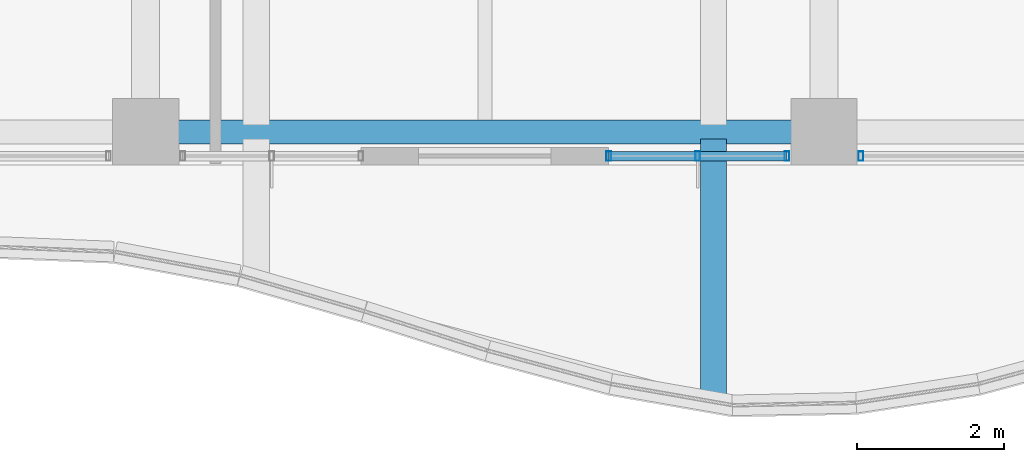
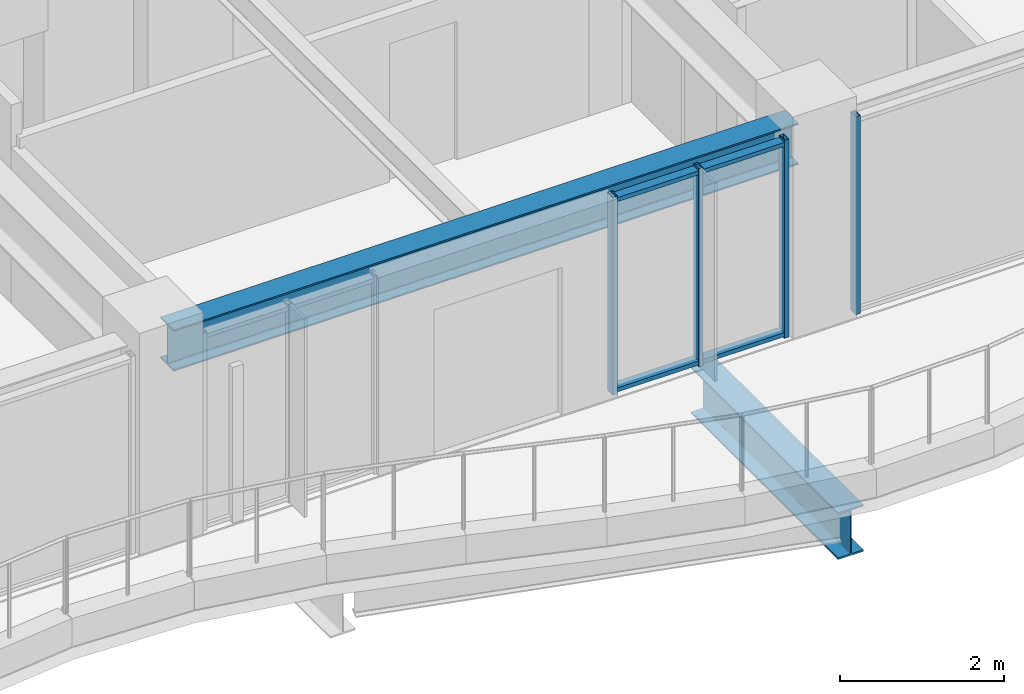
# One storey, part 6 of 31: 6 members, 2 beams, 2 elements without a shape of their own.
"""IFC4 building model written with IfcOpenShell, lengths in metres."""

from ifc_helpers import new_model, si_unit, direction, frame, origin, origin_2d, place, context, subcontext, project, spatial, hollow_rectangle, i_section, extrude, material, material_profile, profile_set, type_object, element, aggregate, save


model = new_model("IFC4")

# Units and contexts
model_context = context("Model", 3, precision=1e-05, world=origin(), true_north=direction((0.0, 1.0)))
body_context = subcontext(model_context, "Body", "Model", "MODEL_VIEW")
ifc_project = project(units=[si_unit("LENGTHUNIT", "METRE"), si_unit("AREAUNIT", "SQUARE_METRE"), si_unit("VOLUMEUNIT", "CUBIC_METRE"), si_unit("PLANEANGLEUNIT", "RADIAN"), si_unit("MASSUNIT", "GRAM", prefix="KILO")], contexts=[model_context])

# Site, building, storey
site_placement = place(None, origin())
site = spatial("IfcSite", under=ifc_project, at=site_placement, CompositionType="ELEMENT")
building_placement = place(site_placement, origin())
building = spatial("IfcBuilding", under=site, at=building_placement, Name="Kolvaren Belvedere", CompositionType="ELEMENT")
storey_placement = place(building_placement, frame((0.0, 0.0, 144.800048828125)))
storey = spatial("IfcBuildingStorey", under=building, at=storey_placement, Name="L42", CompositionType="ELEMENT", Elevation=144.800048828125)

# Beams
ifc_material_1 = material(Name="Structural steel ASTM A992 Grade 50", Category="steel")
ifc_material_profile_1 = material_profile(ifc_material_1, i_section(OverallWidth=0.35498046875, OverallDepth=0.696044921875, WebThickness=0.015380859375, FlangeThickness=0.02490234375, FilletRadius=0.02197265625, at=origin_2d()), Name="W27X146")
ifc_profile_set_1 = profile_set([ifc_material_profile_1], Name="Structural steel ASTM A992 Grade 50")
beam_type_1 = type_object("IfcBeamType", Name="BM-CANT-BAL", PredefinedType="BEAM", material=ifc_profile_set_1)
beam_1_placement = place(storey_placement, frame((3.10009765625, -17.64501953125, -0.548095703125), z_axis=(0.0, -1.0, 0.0), x_axis=(1.0, 0.0, 0.0)))
element("IfcBeam", 1, at=beam_1_placement, inside=storey, type_object=beam_type_1, Name="L42 Planted Balcony Cantilever BAL-S-2", PredefinedType="BEAM", context=body_context, shape_type="SweptSolid", body=[
    extrude(i_section(OverallWidth=0.35498046875, OverallDepth=0.696044921875, WebThickness=0.015380859375, FlangeThickness=0.02490234375, FilletRadius=0.02197265625, at=origin_2d()), origin(), (0.0, 0.0, 1.0), 3.589599609375),
])
ifc_material_2 = material(Name="Structural steel ASTM A992 Grade 50", Category="steel")
ifc_material_profile_2 = material_profile(ifc_material_2, i_section(OverallWidth=0.324951171875, OverallDepth=0.615966796875, WebThickness=0.013916015625, FlangeThickness=0.021484375, FilletRadius=0.02001953125, at=origin_2d()), Name="W24X117")
ifc_profile_set_2 = profile_set([ifc_material_profile_2], Name="Structural steel ASTM A992 Grade 50")
beam_type_2 = type_object("IfcBeamType", Name="BM-SPAN-W24X117", PredefinedType="SPANDREL", material=ifc_profile_set_2)
beam_2_placement = place(storey_placement, frame((-4.3974609375, -17.550048828125, 2.641845703125), z_axis=(1.0, 0.0, 0.0), x_axis=(0.0, 1.0, 0.0)))
element("IfcBeam", 2, at=beam_2_placement, inside=storey, type_object=beam_type_2, Name="L42 Perimeter Spandrel S2-S3", PredefinedType="SPANDREL", context=body_context, shape_type="SweptSolid", body=[
    extrude(i_section(OverallWidth=0.324951171875, OverallDepth=0.615966796875, WebThickness=0.013916015625, FlangeThickness=0.021484375, FilletRadius=0.02001953125, at=origin_2d()), origin(), (0.0, 0.0, 1.0), 8.794921875),
])

# Curtain wall, member
ifc_material_3 = material(Name="Anodised pale-metal aluminium AA 6063-T6", Category="aluminium")
curtain_wall_type = type_object("IfcCurtainWallType", Name="CW-Z3-WAIST", PredefinedType="NOTDEFINED", material=ifc_material_3)
curtain_wall_1_placement = place(storey_placement, origin())
curtain_wall_1 = element("IfcCurtainWall", 3, at=curtain_wall_1_placement, inside=storey, type_object=curtain_wall_type, Name="L42 Unitised Curtain Wall FCW-L42-S1-B1", PredefinedType="NOTDEFINED")
ifc_material_4 = material(Name="Anodised pale-metal aluminium AA 6063-T6", Category="aluminium")
ifc_material_profile_3 = material_profile(ifc_material_4, hollow_rectangle(XDim=0.06494140625, YDim=0.1298828125, WallThickness=0.00390625, at=origin_2d()), Name="ALU-MUL-130X65")
ifc_profile_set_3 = profile_set([ifc_material_profile_3], Name="Anodised pale-metal aluminium AA 6063-T6")
member_type_1 = type_object("IfcMemberType", Name="CW-MUL-130", PredefinedType="MULLION", material=ifc_profile_set_3)
member_1_placement = place(storey_placement, frame((5.1025390625, -17.8798828125, 0.0), z_axis=(0.0, 0.0, 1.0), x_axis=(1.0, 0.0, 0.0)))
member_1 = element("IfcMember", 4, at=member_1_placement, type_object=member_type_1, Name="FCW-L42-S1-B1 Unitised Mullion 3", PredefinedType="MULLION", context=body_context, shape_type="SweptSolid", body=[
    extrude(hollow_rectangle(XDim=0.06494140625, YDim=0.1298828125, WallThickness=0.00390625, at=origin_2d()), origin(), (0.0, 0.0, 1.0), 2.949951171875),
])
aggregate(curtain_wall_1, [member_1])

# Curtain wall, members
curtain_wall_2_placement = place(storey_placement, origin())
curtain_wall_2 = element("IfcCurtainWall", 5, at=curtain_wall_2_placement, inside=storey, type_object=curtain_wall_type, Name="L42 Unitised Curtain Wall FCW-L42-S1-B2", PredefinedType="NOTDEFINED")
member_2_placement = place(storey_placement, frame((4.097412109375, -17.8798828125, 0.0), z_axis=(0.0, 0.0, 1.0), x_axis=(1.0, 0.0, 0.0)))
member_2 = element("IfcMember", 6, at=member_2_placement, type_object=member_type_1, Name="FCW-L42-S1-B2 Unitised Mullion 1", PredefinedType="MULLION", context=body_context, shape_type="SweptSolid", body=[
    extrude(hollow_rectangle(XDim=0.06494140625, YDim=0.1298828125, WallThickness=0.00390625, at=origin_2d()), origin(), (0.0, 0.0, 1.0), 2.949951171875),
])
member_3_placement = place(storey_placement, frame((2.888671875, -17.8798828125, 0.0), z_axis=(0.0, 0.0, 1.0), x_axis=(1.0, 0.0, 0.0)))
member_3 = element("IfcMember", 7, at=member_3_placement, type_object=member_type_1, Name="FCW-L42-S1-B2 Unitised Mullion 2", PredefinedType="MULLION", context=body_context, shape_type="SweptSolid", body=[
    extrude(hollow_rectangle(XDim=0.06494140625, YDim=0.1298828125, WallThickness=0.00390625, at=origin_2d()), origin(), (0.0, 0.0, 1.0), 2.949951171875),
])
member_4_placement = place(storey_placement, frame((1.679931640625, -17.8798828125, 0.0), z_axis=(0.0, 0.0, 1.0), x_axis=(1.0, 0.0, 0.0)))
member_4 = element("IfcMember", 8, at=member_4_placement, type_object=member_type_1, Name="FCW-L42-S1-B2 Unitised Mullion 3", PredefinedType="MULLION", context=body_context, shape_type="SweptSolid", body=[
    extrude(hollow_rectangle(XDim=0.06494140625, YDim=0.1298828125, WallThickness=0.00390625, at=origin_2d()), origin(), (0.0, 0.0, 1.0), 2.949951171875),
])
ifc_material_5 = material(Name="Anodised pale-metal aluminium AA 6063-T6", Category="aluminium")
ifc_material_profile_4 = material_profile(ifc_material_5, hollow_rectangle(XDim=0.06005859375, YDim=0.1298828125, WallThickness=0.00390625, at=origin_2d()), Name="ALU-TRN-130X60")
ifc_profile_set_4 = profile_set([ifc_material_profile_4], Name="Anodised pale-metal aluminium AA 6063-T6")
member_type_2 = type_object("IfcMemberType", Name="CW-TRN-130", PredefinedType="USERDEFINED", material=ifc_profile_set_4)
member_5_placement = place(storey_placement, frame((4.097412109375, -17.8798828125, 0.06005859375), z_axis=(-1.0, 0.0, 0.0), x_axis=(0.0, 0.0, 1.0)))
member_5 = element("IfcMember", 9, at=member_5_placement, type_object=member_type_2, Name="FCW-L42-S1-B2 Sill Transom", ObjectType="TRANSOM", PredefinedType="USERDEFINED", context=body_context, shape_type="SweptSolid", body=[
    extrude(hollow_rectangle(XDim=0.06005859375, YDim=0.1298828125, WallThickness=0.00390625, at=origin_2d()), origin(), (0.0, 0.0, 1.0), 2.41748046875),
])
member_6_placement = place(storey_placement, frame((4.097412109375, -17.8798828125, 2.889892578125), z_axis=(-1.0, 0.0, 0.0), x_axis=(0.0, 0.0, 1.0)))
member_6 = element("IfcMember", 10, at=member_6_placement, type_object=member_type_2, Name="FCW-L42-S1-B2 Head Transom", ObjectType="TRANSOM", PredefinedType="USERDEFINED", context=body_context, shape_type="SweptSolid", body=[
    extrude(hollow_rectangle(XDim=0.06005859375, YDim=0.1298828125, WallThickness=0.00390625, at=origin_2d()), origin(), (0.0, 0.0, 1.0), 2.41748046875),
])
aggregate(curtain_wall_2, [member_2, member_3, member_4, member_5, member_6])

save(model, "model.ifc")
